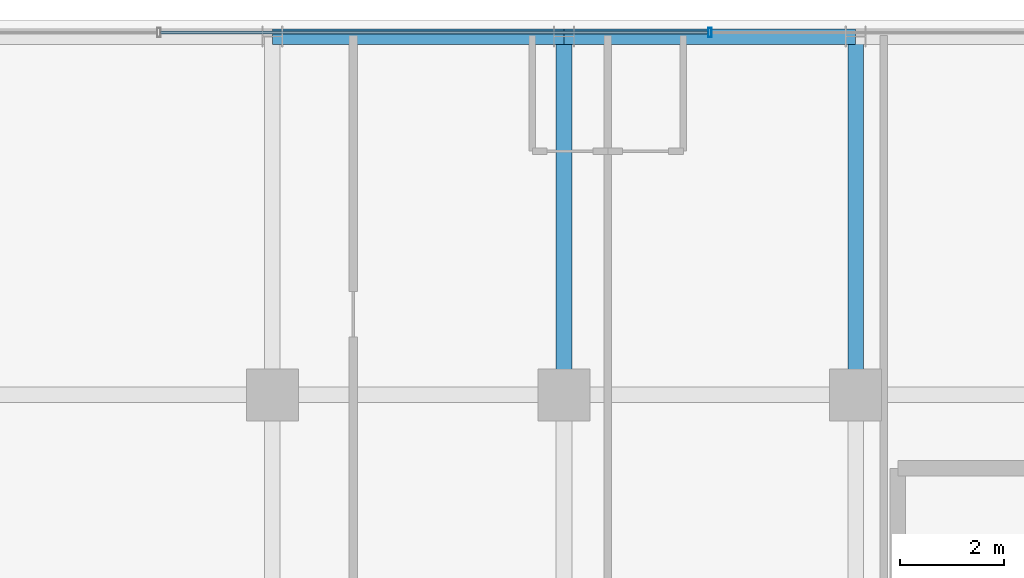
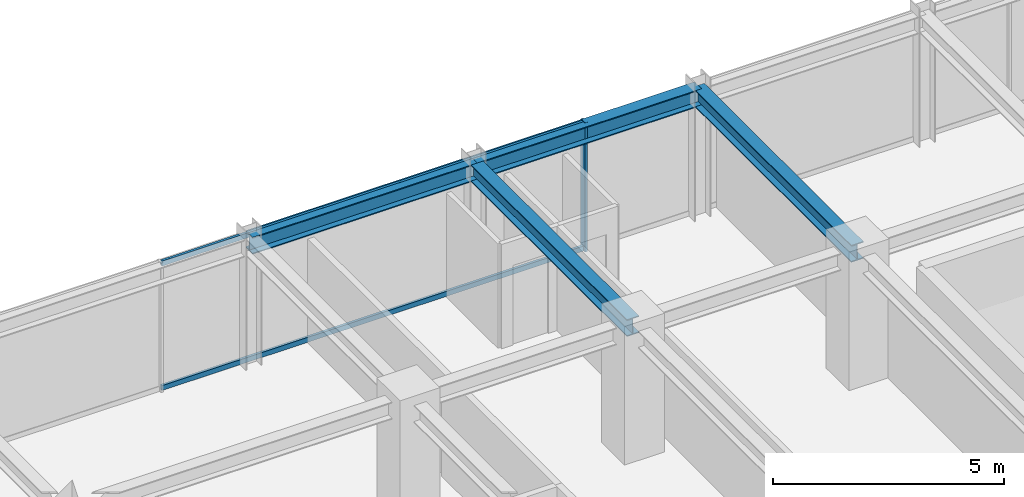
# One storey, part 22 of 36: 4 beams, 3 members, 1 element without a shape of its own.
"""IFC4 building model written with IfcOpenShell, lengths in metres."""

from ifc_helpers import new_model, si_unit, direction, frame, origin, origin_2d, place, context, subcontext, project, spatial, hollow_rectangle, i_section, extrude, source, transform, mapped, material, material_profile, profile_set, type_object, element, aggregate, save


model = new_model("IFC4")

# Units and contexts
model_context = context("Model", 3, precision=1e-05, world=origin(), true_north=direction((0.0, 1.0)))
body_context = subcontext(model_context, "Body", "Model", "MODEL_VIEW")
ifc_project = project(units=[si_unit("LENGTHUNIT", "METRE"), si_unit("AREAUNIT", "SQUARE_METRE"), si_unit("VOLUMEUNIT", "CUBIC_METRE"), si_unit("PLANEANGLEUNIT", "RADIAN"), si_unit("MASSUNIT", "GRAM", prefix="KILO")], contexts=[model_context])

# Site, building, storey
site_placement = place(None, origin())
site = spatial("IfcSite", under=ifc_project, at=site_placement, CompositionType="ELEMENT")
building_placement = place(site_placement, origin())
building = spatial("IfcBuilding", under=site, at=building_placement, Name="Nahalor Promenade Grand Hotel", CompositionType="ELEMENT")
storey_placement = place(building_placement, frame((0.0, 0.0, 223.39990234375)))
storey = spatial("IfcBuildingStorey", under=building, at=storey_placement, Name="L57", CompositionType="ELEMENT", Elevation=223.39990234375)

# Beams
ifc_material_1 = material(Name="Steel S355JR", Category="steel")
ifc_material_profile_1 = material_profile(ifc_material_1, i_section(OverallWidth=0.3, OverallDepth=0.45, WebThickness=0.014, FlangeThickness=0.026, at=origin_2d()), Name="HEB 450")
ifc_profile_set_1 = profile_set([ifc_material_profile_1], Name="Steel S355JR")
beam_type_1 = type_object("IfcBeamType", Name="Beam-Spandrel-HEB450", PredefinedType="SPANDREL", material=ifc_profile_set_1)
shared_shape_1 = source(origin(), body_context, "Body", "SweptSolid", [
    extrude(i_section(OverallWidth=0.3, OverallDepth=0.45, WebThickness=0.014, FlangeThickness=0.026, at=origin_2d()), origin(), (0.0, 0.0, 1.0), 5.599853515625),
])
beam_1_placement = place(storey_placement, frame((-8.39990234375, 23.8798828125, 3.18505859375), z_axis=(1.0, 0.0, 0.0), x_axis=(0.0, 1.0, 0.0)))
element("IfcBeam", 1, at=beam_1_placement, inside=storey, type_object=beam_type_1, Name="BM-L57-SP-N-1", PredefinedType="SPANDREL", context=body_context, shape_type="MappedRepresentation", body=[
    mapped(shared_shape_1, transform((0.0, 0.0, 0.0), scale=1.0)),
])
shared_shape_2 = source(origin(), body_context, "Body", "SweptSolid", [
    extrude(i_section(OverallWidth=0.3, OverallDepth=0.45, WebThickness=0.014, FlangeThickness=0.026, at=origin_2d()), origin(), (0.0, 0.0, 1.0), 5.60009765625),
])
beam_2_placement = place(storey_placement, frame((-2.800048828125, 23.8798828125, 3.18505859375), z_axis=(1.0, 0.0, 0.0), x_axis=(0.0, 1.0, 0.0)))
element("IfcBeam", 2, at=beam_2_placement, inside=storey, type_object=beam_type_1, Name="BM-L57-SP-N-2", PredefinedType="SPANDREL", context=body_context, shape_type="MappedRepresentation", body=[
    mapped(shared_shape_2, transform((0.0, 0.0, 0.0), scale=1.0)),
])
ifc_material_profile_2 = material_profile(ifc_material_1, i_section(OverallWidth=0.3, OverallDepth=0.45, WebThickness=0.014, FlangeThickness=0.026, at=origin_2d()), Name="HEB 450")
ifc_profile_set_2 = profile_set([ifc_material_profile_2], Name="Steel S355JR")
beam_type_2 = type_object("IfcBeamType", Name="Beam-Girder-HEB450", PredefinedType="BEAM", material=ifc_profile_set_2)
shared_shape_3 = source(origin(), body_context, "Body", "SweptSolid", [
    extrude(i_section(OverallWidth=0.3, OverallDepth=0.45, WebThickness=0.014, FlangeThickness=0.026, at=origin_2d()), origin(), (0.0, 0.0, 1.0), 6.8798828125),
])
for number, where, z_axis, x_axis, name in (
    (3, (-2.800048828125, 17.0, 3.18505859375), (0.0, 1.0, 0.0), (-1.0, 0.0, 0.0), "BM-L57-GY-2-4"),
    (4, (2.800048828125, 17.0, 3.18505859375), (0.0, 1.0, 0.0), (-1.0, 0.0, 0.0), "BM-L57-GY-3-4"),
):
    element("IfcBeam", number, at=place(storey_placement, frame(where, z_axis=z_axis, x_axis=x_axis)), inside=storey, type_object=beam_type_2, Name=name, PredefinedType="BEAM", context=body_context, shape_type="MappedRepresentation", body=[
        mapped(shared_shape_3, transform((0.0, 0.0, 0.0), scale=1.0)),
    ])

# Curtain wall, members
ifc_material_2 = material(Name="Anodised Bronze Aluminium EN AW-6063 T6", Category="aluminium")
curtain_wall_type = type_object("IfcCurtainWallType", Name="CW2 Typical Hotel Flush Bronze Unitised Curtain Wall", PredefinedType="USERDEFINED", material=ifc_material_2)
curtain_wall_placement = place(storey_placement, origin())
curtain_wall = element("IfcCurtainWall", 5, at=curtain_wall_placement, inside=storey, type_object=curtain_wall_type, Name="L57 Curtain Wall CW-L57-N-1", ObjectType="UNITISED_CURTAIN_WALL", PredefinedType="USERDEFINED")
ifc_material_profile_3 = material_profile(ifc_material_2, hollow_rectangle(XDim=0.065, YDim=0.18, WallThickness=0.004, at=origin_2d()), Name="CWM 65x180x4")
ifc_profile_set_3 = profile_set([ifc_material_profile_3], Name="Anodised Bronze Aluminium EN AW-6063 T6")
member_type_1 = type_object("IfcMemberType", Name="CWM2 Typical Bronze Mullion 65x180", PredefinedType="MULLION", material=ifc_profile_set_3)
shared_shape_4 = source(origin(), body_context, "Body", "SweptSolid", [
    extrude(hollow_rectangle(XDim=0.065, YDim=0.18, WallThickness=0.004, at=origin_2d()), origin(), (0.0, 0.0, 1.0), 3.41015625),
])
member_1_placement = place(storey_placement, frame((0.0, 23.9599609375, 0.0), z_axis=(0.0, 0.0, 1.0), x_axis=(1.0, 0.0, 0.0)))
member_1 = element("IfcMember", 6, at=member_1_placement, type_object=member_type_1, Name="CW-L57-N-1 Mullion 2", PredefinedType="MULLION", context=body_context, shape_type="MappedRepresentation", body=[
    mapped(shared_shape_4, transform((0.0, 0.0, 0.0), scale=1.0)),
])
ifc_material_profile_4 = material_profile(ifc_material_2, hollow_rectangle(XDim=0.065, YDim=0.13, WallThickness=0.004, at=origin_2d()), Name="CWT 65x130x4")
ifc_profile_set_4 = profile_set([ifc_material_profile_4], Name="Anodised Bronze Aluminium EN AW-6063 T6")
member_type_2 = type_object("IfcMemberType", Name="CWT2 Typical Bronze Transom 65x130", PredefinedType="USERDEFINED", material=ifc_profile_set_4)
shared_shape_5 = source(origin(), body_context, "Body", "SweptSolid", [
    extrude(hollow_rectangle(XDim=0.065, YDim=0.13, WallThickness=0.004, at=origin_2d()), origin(), (0.0, 0.0, 1.0), 10.51513671875),
])
member_2_placement = place(storey_placement, frame((-10.547607421875, 23.9599609375, 0.065185546875), z_axis=(1.0, 0.0, 0.0), x_axis=(0.0, 1.0, 0.0)))
member_2 = element("IfcMember", 7, at=member_2_placement, type_object=member_type_2, Name="CW-L57-N-1 Transom 1-0", ObjectType="TRANSOM", PredefinedType="USERDEFINED", context=body_context, shape_type="MappedRepresentation", body=[
    mapped(shared_shape_5, transform((0.0, 0.0, 0.0), scale=1.0)),
])
member_3_placement = place(storey_placement, frame((-10.547607421875, 23.9599609375, 3.34521484375), z_axis=(1.0, 0.0, 0.0), x_axis=(0.0, 1.0, 0.0)))
member_3 = element("IfcMember", 8, at=member_3_placement, type_object=member_type_2, Name="CW-L57-N-1 Transom 1-1", ObjectType="TRANSOM", PredefinedType="USERDEFINED", context=body_context, shape_type="MappedRepresentation", body=[
    mapped(shared_shape_5, transform((0.0, 0.0, 0.0), scale=1.0)),
])
aggregate(curtain_wall, [member_1, member_2, member_3])

save(model, "model.ifc")
